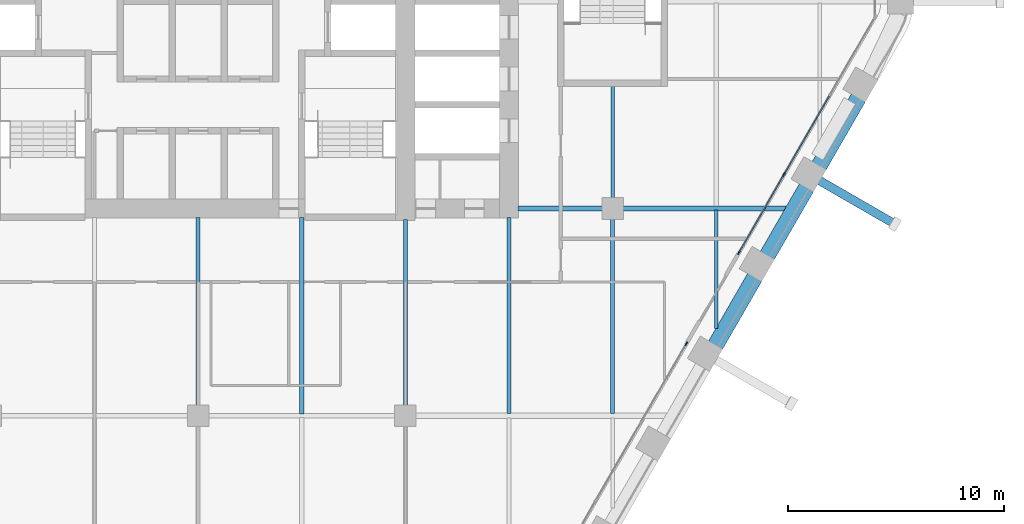
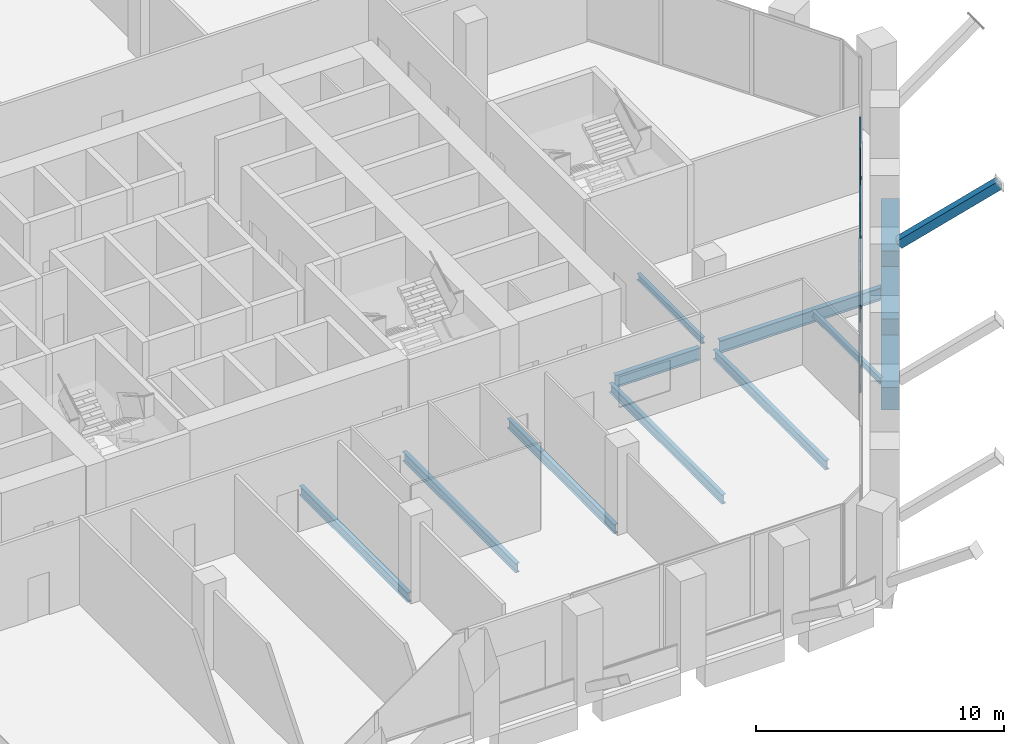
# One storey, part 5 of 24: 12 beams, 8 members, 2 elements without a shape of their own.
"""IFC4 building model written with IfcOpenShell, lengths in metres."""

import ifcopenshell
import ifcopenshell.guid

model = None  # the IFC model being written
_history = None  # IfcOwnerHistory: only IFC2X3 demands one
_inside = {}  # id of a spatial element -> (the spatial element, [elements in it])
_under = {}  # id of a project, library or spatial element -> (it, [spatial elements below it])
_declared = {}  # id of a project -> (the project, [libraries it declares])
_typed = {}  # id of a type object -> (the type object, [elements of that type])
_made_of = {}  # id of a material, layer set ... -> (it, [elements and type objects made of it])


def new_model(schema):
    """Start an empty IFC model of exactly this schema.

    Asked for "IFC4X3", IfcOpenShell would pick the latest addendum, in which some entities
    have other attributes; the version numbers below select the first issue.
    IFC2X3 requires an IfcOwnerHistory on every rooted entity: one is made here for all.
    """
    global model, _history
    if schema == "IFC4X3":
        model = ifcopenshell.file(schema_version=(4, 3, 0, 0))
    else:
        model = ifcopenshell.file(schema=schema)
    _inside.clear()
    _under.clear()
    _declared.clear()
    _typed.clear()
    _made_of.clear()
    _history = None
    if model.schema == "IFC2X3":
        org = make("IfcOrganization", Name="unknown")
        user = make(
            "IfcPersonAndOrganization",
            ThePerson=make("IfcPerson", FamilyName="unknown"),
            TheOrganization=org,
        )
        app = make(
            "IfcApplication",
            ApplicationDeveloper=org,
            Version="unknown",
            ApplicationFullName="unknown",
            ApplicationIdentifier="unknown",
        )
        _history = make(
            "IfcOwnerHistory",
            OwningUser=user,
            OwningApplication=app,
            ChangeAction="ADDED",
            CreationDate=0,
        )
    return model


def make(cls, **values):
    """One entity of the class cls with the attributes given. An attribute that is None is left unset."""
    return model.create_entity(
        cls, **{name: value for name, value in values.items() if value is not None}
    )


def rooted(cls, **values):
    """An entity with a GlobalId (a new one), such as an element, a storey or a relation."""
    return make(cls, GlobalId=ifcopenshell.guid.new(), OwnerHistory=_history, **values)


def si_unit(unit_type, name, prefix=None):
    """IfcSIUnit, for example si_unit("LENGTHUNIT", "METRE", prefix="MILLI")."""
    return make("IfcSIUnit", UnitType=unit_type, Prefix=prefix, Name=name)


def assignment(units):
    """IfcUnitAssignment: the units of a project."""
    return None if units is None else make("IfcUnitAssignment", Units=units)


def point(xyz):
    """IfcCartesianPoint."""
    return None if xyz is None else make("IfcCartesianPoint", Coordinates=xyz)


def direction(xyz):
    """IfcDirection."""
    return None if xyz is None else make("IfcDirection", DirectionRatios=xyz)


def frame(location, z_axis=None, x_axis=None):
    """IfcAxis2Placement3D, a coordinate frame: its origin and axes. An axis left out is left unset."""
    return make(
        "IfcAxis2Placement3D",
        Location=point(location),
        Axis=direction(z_axis),
        RefDirection=direction(x_axis),
    )


def frame_2d(location, x_axis=None):
    """IfcAxis2Placement2D, a coordinate frame in the plane: its origin and x axis."""
    return make(
        "IfcAxis2Placement2D", Location=point(location), RefDirection=direction(x_axis)
    )


def origin():
    """The frame at (0, 0, 0) with its axes left unset."""
    return frame((0.0, 0.0, 0.0))


def origin_2d():
    """The frame at (0, 0) in the plane with its x axis left unset."""
    return frame_2d((0.0, 0.0))


def place(relative_to, where):
    """IfcLocalPlacement: puts the frame where relative to a parent placement (None: the world)."""
    return make(
        "IfcLocalPlacement", PlacementRelTo=relative_to, RelativePlacement=where
    )


def context(
    kind, dimensions, precision=None, world=None, true_north=None, identifier=None
):
    """IfcGeometricRepresentationContext, for example the 3D "Model" context."""
    return make(
        "IfcGeometricRepresentationContext",
        ContextIdentifier=identifier,
        ContextType=kind,
        CoordinateSpaceDimension=dimensions,
        Precision=precision,
        WorldCoordinateSystem=world,
        TrueNorth=true_north,
    )


def subcontext(parent, identifier, kind, view, scale=None):
    """IfcGeometricRepresentationSubContext, for example "Body" below "Model"."""
    return make(
        "IfcGeometricRepresentationSubContext",
        ContextIdentifier=identifier,
        ContextType=kind,
        ParentContext=parent,
        TargetScale=scale,
        TargetView=view,
    )


def project(units=None, contexts=None):
    """IfcProject with its units and contexts."""
    return rooted(
        "IfcProject",
        Name="project",
        RepresentationContexts=contexts,
        UnitsInContext=assignment(units),
    )


def spatial(cls, under=None, at=None, **own):
    """A site, building, storey or space (cls), placed at a placement, below another one or the project."""
    s = rooted(cls, ObjectPlacement=at, **own)
    if under is not None:
        _under.setdefault(under.id(), (under, []))[1].append(s)
    return s


def profile(cls, at=None, kind="AREA", **sizes):
    """A parametric profile (cls). Its sizes go by their IFC names, for example OverallWidth=200.0."""
    return make(cls, ProfileType=kind, Position=at, **sizes)


def rectangle(**sizes):
    """IfcRectangleProfileDef."""
    return profile("IfcRectangleProfileDef", **sizes)


def hollow_rectangle(**sizes):
    """IfcRectangleHollowProfileDef."""
    return profile("IfcRectangleHollowProfileDef", **sizes)


def i_section(**sizes):
    """IfcIShapeProfileDef."""
    return profile("IfcIShapeProfileDef", **sizes)


def extrude(swept, where, along, depth):
    """IfcExtrudedAreaSolid: the profile swept, set in the frame where, extruded along a direction by depth."""
    return make(
        "IfcExtrudedAreaSolid",
        SweptArea=swept,
        Position=where,
        ExtrudedDirection=direction(along),
        Depth=depth,
    )


def shape(context_of_items, identifier, shape_type, items):
    """IfcShapeRepresentation: the items that make up one representation, for example the "Body"."""
    return make(
        "IfcShapeRepresentation",
        ContextOfItems=context_of_items,
        RepresentationIdentifier=identifier,
        RepresentationType=shape_type,
        Items=items,
    )


def material(Name=None, Category=None):
    """IfcMaterial."""
    return make("IfcMaterial", Name=Name, Category=Category)


def material_profile(
    of_material, cross_section, Name=None, Category=None, Priority=None
):
    """IfcMaterialProfile: a cross section and its material."""
    return make(
        "IfcMaterialProfile",
        Name=Name,
        Material=of_material,
        Profile=cross_section,
        Priority=Priority,
        Category=Category,
    )


def profile_set(profiles, Name=None, composite=None):
    """IfcMaterialProfileSet."""
    return make(
        "IfcMaterialProfileSet",
        Name=Name,
        MaterialProfiles=profiles,
        CompositeProfile=composite,
    )


def made_of(thing, what):
    """Note that an element or type object is made of a material, layer set ...; save() writes the relation."""
    if what is not None:
        _made_of.setdefault(what.id(), (what, []))[1].append(thing)
    return thing


def type_object(cls, material=None, **own):
    """A type object (cls), such as IfcWallType, which elements share."""
    return made_of(rooted(cls, **own), material)


def element(
    cls,
    number,
    at=None,
    inside=None,
    cuts=None,
    type_object=None,
    material=None,
    context=None,
    identifier="Body",
    shape_type=None,
    held_by="IfcProductDefinitionShape",
    body=None,
    shapes=None,
    **own,
):
    """One element of the class cls, such as IfcWall. Its Tag is "e" and its number.

    at: its placement. inside: the storey or other place that contains it. cuts: it is an
    opening in that element (IfcRelVoidsElement). A single representation is given by context,
    identifier, shape_type and body (its items); several are given by shapes. held_by: the class
    of the entity that holds the representations. save() writes the other relations.
    """
    e = rooted(cls, Tag="e%d" % number, ObjectPlacement=at, **own)
    if body is not None:
        shapes = [shape(context, identifier, shape_type, body)]
    if shapes is not None:
        e.Representation = make(held_by, Representations=shapes)
    if inside is not None:
        _inside.setdefault(inside.id(), (inside, []))[1].append(e)
    if cuts is not None:
        rooted(
            "IfcRelVoidsElement", RelatingBuildingElement=cuts, RelatedOpeningElement=e
        )
    if type_object is not None:
        _typed.setdefault(type_object.id(), (type_object, []))[1].append(e)
    return made_of(e, material)


def aggregate(whole, parts):
    """IfcRelAggregates: a whole, such as a stair, and the parts it consists of."""
    return rooted("IfcRelAggregates", RelatingObject=whole, RelatedObjects=parts)


def save(model, path):
    """Write the relations noted so far, then the file.

    IfcRelAggregates (storeys below a building ...), IfcRelContainedInSpatialStructure (elements
    in a storey), IfcRelDefinesByType, IfcRelAssociatesMaterial and IfcRelDeclares: one each for
    every whole, place, type object, material and project.
    """
    for whole, parts in _under.values():
        aggregate(whole, parts)
    for where, things in _inside.values():
        rooted(
            "IfcRelContainedInSpatialStructure",
            RelatedElements=things,
            RelatingStructure=where,
        )
    for kind, things in _typed.values():
        rooted("IfcRelDefinesByType", RelatedObjects=things, RelatingType=kind)
    for what, things in _made_of.values():
        rooted("IfcRelAssociatesMaterial", RelatedObjects=things, RelatingMaterial=what)
    for by, libraries in _declared.values():
        rooted("IfcRelDeclares", RelatingContext=by, RelatedDefinitions=libraries)
    model.write(path)


model = new_model("IFC4")

# Units and contexts
model_context = context("Model", 3, precision=1e-05, world=origin(), true_north=direction((0.0, 1.0)))
body_context = subcontext(model_context, "Body", "Model", "MODEL_VIEW")
ifc_project = project(units=[si_unit("LENGTHUNIT", "METRE"), si_unit("AREAUNIT", "SQUARE_METRE"), si_unit("VOLUMEUNIT", "CUBIC_METRE"), si_unit("PLANEANGLEUNIT", "RADIAN"), si_unit("MASSUNIT", "GRAM", prefix="KILO")], contexts=[model_context])

# Site, building, storey
site_placement = place(None, origin())
site = spatial("IfcSite", under=ifc_project, at=site_placement, CompositionType="ELEMENT")
building_placement = place(site_placement, origin())
building = spatial("IfcBuilding", under=site, at=building_placement, Name="Kolab Exchange Tower", CompositionType="ELEMENT")
storey_placement = place(building_placement, frame((0.0, 0.0, 86.89990234375)))
storey = spatial("IfcBuildingStorey", under=building, at=storey_placement, Name="L16", CompositionType="ELEMENT", Elevation=86.89990234375)

# Beams
ifc_material_1 = material(Name="Steel S355", Category="steel")
ifc_material_profile_1 = material_profile(ifc_material_1, i_section(OverallWidth=0.1650390625, OverallDepth=0.31005859375, WebThickness=0.005859375, FlangeThickness=0.009765625, at=origin_2d()), Name="W310X39")
ifc_profile_set_1 = profile_set([ifc_material_profile_1], Name="Steel S355")
beam_type_1 = type_object("IfcBeamType", Name="FLOOR BEAM W310X39", PredefinedType="BEAM", material=ifc_profile_set_1)
beam_1_placement = place(storey_placement, frame((19.199951171875, -9.139892578125, -0.35498046875), z_axis=(0.0, 1.0, 0.0), x_axis=(-1.0, 0.0, 0.0)))
element("IfcBeam", 1, at=beam_1_placement, inside=storey, type_object=beam_type_1, Name="beam/L16/fr/042", PredefinedType="BEAM", context=body_context, shape_type="SweptSolid", body=[
    extrude(i_section(OverallWidth=0.1650390625, OverallDepth=0.31005859375, WebThickness=0.005859375, FlangeThickness=0.009765625, at=origin_2d()), origin(), (0.0, 0.0, 1.0), 5.22998046875),
])
beam_2_placement = place(storey_placement, frame((24.0, -15.167724609375, -0.35498046875), z_axis=(0.0, 1.0, 0.0), x_axis=(-1.0, 0.0, 0.0)))
element("IfcBeam", 2, at=beam_2_placement, inside=storey, type_object=beam_type_1, Name="beam/L16/fr/046", PredefinedType="BEAM", context=body_context, shape_type="SweptSolid", body=[
    extrude(i_section(OverallWidth=0.1650390625, OverallDepth=0.31005859375, WebThickness=0.005859375, FlangeThickness=0.009765625, at=origin_2d()), origin(), (0.0, 0.0, 1.0), 5.49365234375),
])
ifc_material_profile_2 = material_profile(ifc_material_1, i_section(OverallWidth=0.18994140625, OverallDepth=0.45703125, WebThickness=0.009033203125, FlangeThickness=0.014404296875, at=origin_2d()), Name="W460X74")
ifc_profile_set_2 = profile_set([ifc_material_profile_2], Name="Steel S355")
beam_type_2 = type_object("IfcBeamType", Name="FLOOR BEAM W460X74", PredefinedType="BEAM", material=ifc_profile_set_2)
beam_3_placement = place(storey_placement, frame((0.0, -18.739990234375, -0.428466796875), z_axis=(0.0, 1.0, 0.0), x_axis=(-1.0, 0.0, 0.0)))
element("IfcBeam", 3, at=beam_3_placement, inside=storey, type_object=beam_type_2, Name="beam/L16/fr/025", PredefinedType="BEAM", context=body_context, shape_type="SweptSolid", body=[
    extrude(i_section(OverallWidth=0.18994140625, OverallDepth=0.45703125, WebThickness=0.009033203125, FlangeThickness=0.014404296875, at=origin_2d()), origin(), (0.0, 0.0, 1.0), 8.72998046875),
])
beam_4_placement = place(storey_placement, frame((4.800048828125, -19.1259765625, -0.428466796875), z_axis=(0.0, 1.0, 0.0), x_axis=(-1.0, 0.0, 0.0)))
element("IfcBeam", 4, at=beam_4_placement, inside=storey, type_object=beam_type_2, Name="beam/L16/fr/029", PredefinedType="BEAM", context=body_context, shape_type="SweptSolid", body=[
    extrude(i_section(OverallWidth=0.18994140625, OverallDepth=0.45703125, WebThickness=0.009033203125, FlangeThickness=0.014404296875, at=origin_2d()), origin(), (0.0, 0.0, 1.0), 9.115966796875),
])
beam_5_placement = place(storey_placement, frame((9.60009765625, -18.739990234375, -0.428466796875), z_axis=(0.0, 1.0, 0.0), x_axis=(-1.0, 0.0, 0.0)))
element("IfcBeam", 5, at=beam_5_placement, inside=storey, type_object=beam_type_2, Name="beam/L16/fr/033", PredefinedType="BEAM", context=body_context, shape_type="SweptSolid", body=[
    extrude(i_section(OverallWidth=0.18994140625, OverallDepth=0.45703125, WebThickness=0.009033203125, FlangeThickness=0.014404296875, at=origin_2d()), origin(), (0.0, 0.0, 1.0), 8.6298828125),
])
beam_6_placement = place(storey_placement, frame((14.39990234375, -19.1064453125, -0.428466796875), z_axis=(0.0, 1.0, 0.0), x_axis=(-1.0, 0.0, 0.0)))
element("IfcBeam", 6, at=beam_6_placement, inside=storey, type_object=beam_type_2, Name="beam/L16/fr/037", PredefinedType="BEAM", context=body_context, shape_type="SweptSolid", body=[
    extrude(i_section(OverallWidth=0.18994140625, OverallDepth=0.45703125, WebThickness=0.009033203125, FlangeThickness=0.014404296875, at=origin_2d()), origin(), (0.0, 0.0, 1.0), 9.096435546875),
])
beam_7_placement = place(storey_placement, frame((19.199951171875, -19.1064453125, -0.428466796875), z_axis=(0.0, 1.0, 0.0), x_axis=(-1.0, 0.0, 0.0)))
element("IfcBeam", 7, at=beam_7_placement, inside=storey, type_object=beam_type_2, Name="beam/L16/fr/041", PredefinedType="BEAM", context=body_context, shape_type="SweptSolid", body=[
    extrude(i_section(OverallWidth=0.18994140625, OverallDepth=0.45703125, WebThickness=0.009033203125, FlangeThickness=0.014404296875, at=origin_2d()), origin(), (0.0, 0.0, 1.0), 9.04638671875),
])
ifc_material_profile_3 = material_profile(ifc_material_1, i_section(OverallWidth=0.22802734375, OverallDepth=0.60791015625, WebThickness=0.01123046875, FlangeThickness=0.017333984375, at=origin_2d()), Name="W610X113")
ifc_profile_set_3 = profile_set([ifc_material_profile_3], Name="Steel S355")
beam_type_3 = type_object("IfcBeamType", Name="FLOOR GIRDER W610X113", PredefinedType="BEAM", material=ifc_profile_set_3)
beam_8_placement = place(storey_placement, frame((14.81005859375, -9.60009765625, -0.50390625), z_axis=(1.0, 0.0, 0.0), x_axis=(0.0, 1.0, 0.0)))
element("IfcBeam", 8, at=beam_8_placement, inside=storey, type_object=beam_type_3, Name="beam/L16/gd/014", PredefinedType="BEAM", context=body_context, shape_type="SweptSolid", body=[
    extrude(i_section(OverallWidth=0.22802734375, OverallDepth=0.60791015625, WebThickness=0.01123046875, FlangeThickness=0.017333984375, at=origin_2d()), origin(), (0.0, 0.0, 1.0), 3.929931640625),
])
beam_9_placement = place(storey_placement, frame((19.659912109375, -9.60009765625, -0.50390625), z_axis=(1.0, 0.0, 0.0), x_axis=(0.0, 1.0, 0.0)))
element("IfcBeam", 9, at=beam_9_placement, inside=storey, type_object=beam_type_3, Name="beam/L16/gd/017", PredefinedType="BEAM", context=body_context, shape_type="SweptSolid", body=[
    extrude(i_section(OverallWidth=0.22802734375, OverallDepth=0.60791015625, WebThickness=0.01123046875, FlangeThickness=0.017333984375, at=origin_2d()), origin(), (0.0, 0.0, 1.0), 7.571533203125),
])

# Member
ifc_material_profile_4 = material_profile(ifc_material_1, hollow_rectangle(XDim=0.39990234375, YDim=0.39990234375, WallThickness=0.02001953125, at=origin_2d()), Name="HSS400X400X20")
ifc_profile_set_4 = profile_set([ifc_material_profile_4], Name="Steel S355")
member_type_1 = type_object("IfcMemberType", Name="LEDGE STRUT HSS400X400X20", PredefinedType="STRUT", material=ifc_profile_set_4)
member_1_placement = place(storey_placement, frame((28.765380859375, -8.293701171875, 0.60009765625), z_axis=(0.702055669831, -0.40533170136, 0.585511783255), x_axis=(0.499999695987, 0.866025579307, 0.0)))
element("IfcMember", 10, at=member_1_placement, inside=storey, type_object=member_type_1, Name="mem/L16/ledge/strut-1", PredefinedType="STRUT", context=body_context, shape_type="SweptSolid", body=[
    extrude(hollow_rectangle(XDim=0.39990234375, YDim=0.39990234375, WallThickness=0.02001953125, at=origin_2d()), origin(), (0.0, 0.0, 1.0), 4.983642578125),
])

# Beams
ifc_material_2 = material(Name="Concrete C70/85", Category="concrete")
ifc_material_profile_5 = material_profile(ifc_material_2, rectangle(XDim=0.75, YDim=1.10009765625, at=origin_2d()), Name="RC750X1100")
ifc_profile_set_5 = profile_set([ifc_material_profile_5], Name="Concrete C70/85")
beam_type_4 = type_object("IfcBeamType", Name="SPANDREL BEAM 750X1100 C70/85", PredefinedType="BEAM", material=ifc_profile_set_5)
for number, where, z_axis, x_axis, name in (
    (11, (30.59521484375, -4.454345703125, -0.75), (-0.500013413428, -0.866017659399, 0.0), (0.866017659399, -0.500013413428, 0.0), "beam/L16/sp/F3-02"),
    (12, (28.1953125, -8.611328125, -0.75), (-0.500013413428, -0.866017659399, 0.0), (0.866017659399, -0.500013413428, 0.0), "beam/L16/sp/F3-03"),
):
    element("IfcBeam", number, at=place(storey_placement, frame(where, z_axis=z_axis, x_axis=x_axis)), inside=storey, type_object=beam_type_4, Name=name, PredefinedType="BEAM", context=body_context, shape_type="SweptSolid", body=[
        extrude(rectangle(XDim=0.75, YDim=1.10009765625, at=origin_2d()), origin(), (0.0, 0.0, 1.0), 3.68017578125),
    ])
beam_10_placement = place(storey_placement, frame((25.795166015625, -12.768310546875, -0.75), z_axis=(-0.499963655964, -0.866046386007, 0.0), x_axis=(0.866046386007, -0.499963655964, 0.0)))
element("IfcBeam", 13, at=beam_10_placement, inside=storey, type_object=beam_type_4, Name="beam/L16/sp/F3-04", PredefinedType="BEAM", context=body_context, shape_type="SweptSolid", body=[
    extrude(rectangle(XDim=0.75, YDim=1.10009765625, at=origin_2d()), origin(), (0.0, 0.0, 1.0), 3.679931640625),
])

# Curtain wall, members
ifc_material_3 = material(Name="Aluminium EN AW-6063 T6", Category="aluminium")
curtain_wall_type = type_object("IfcCurtainWallType", Name="UNITISED LOWER MID ZONE CURTAIN WALL", PredefinedType="NOTDEFINED", material=ifc_material_3)
curtain_wall_1_placement = place(storey_placement, origin())
curtain_wall_1 = element("IfcCurtainWall", 14, at=curtain_wall_1_placement, inside=storey, type_object=curtain_wall_type, Name="cw/L16/F3-1", PredefinedType="NOTDEFINED")
ifc_material_profile_6 = material_profile(ifc_material_3, rectangle(XDim=0.06005859375, YDim=0.179931640625, at=origin_2d()), Name="RECT 60X180")
ifc_profile_set_6 = profile_set([ifc_material_profile_6], Name="Aluminium EN AW-6063 T6")
member_type_2 = type_object("IfcMemberType", Name="UNITISED LOWER MID ZONE MULLION 60 X 180", PredefinedType="MULLION", material=ifc_profile_set_6)
member_2_placement = place(storey_placement, frame((27.14306640625, -8.02392578125, 0.0), z_axis=(0.0, 0.0, 1.0), x_axis=(0.866025427826, -0.499999958358, 0.0)))
member_2 = element("IfcMember", 15, at=member_2_placement, type_object=member_type_2, Name="CW2 mullion 3", PredefinedType="MULLION", context=body_context, shape_type="SweptSolid", body=[
    extrude(rectangle(XDim=0.06005859375, YDim=0.179931640625, at=origin_2d()), origin(), (0.0, 0.0, 1.0), 4.2001953125),
])
member_3_placement = place(storey_placement, frame((25.046630859375, -11.65478515625, 0.0), z_axis=(0.0, 0.0, 1.0), x_axis=(0.866025427826, -0.499999958358, 0.0)))
member_3 = element("IfcMember", 16, at=member_3_placement, type_object=member_type_2, Name="CW2 mullion 4", PredefinedType="MULLION", context=body_context, shape_type="SweptSolid", body=[
    extrude(rectangle(XDim=0.06005859375, YDim=0.179931640625, at=origin_2d()), origin(), (0.0, 0.0, 1.0), 4.2001953125),
])

# Curtain wall, member
curtain_wall_2_placement = place(storey_placement, origin())
curtain_wall_2 = element("IfcCurtainWall", 17, at=curtain_wall_2_placement, inside=storey, type_object=curtain_wall_type, Name="cw/L16/F3-2", PredefinedType="NOTDEFINED")
member_4_placement = place(storey_placement, frame((22.61669921875, -15.86376953125, 0.0), z_axis=(0.0, 0.0, 1.0), x_axis=(0.866025393644, -0.500000017564, 0.0)))
member_4 = element("IfcMember", 18, at=member_4_placement, type_object=member_type_2, Name="CW2 mullion 1", PredefinedType="MULLION", context=body_context, shape_type="SweptSolid", body=[
    extrude(rectangle(XDim=0.06005859375, YDim=0.179931640625, at=origin_2d()), origin(), (0.0, 0.0, 1.0), 4.2001953125),
])
aggregate(curtain_wall_2, [member_4])

# Member
ifc_material_profile_7 = material_profile(ifc_material_3, rectangle(XDim=0.06005859375, YDim=0.1201171875, at=origin_2d()), Name="RECT 60X120")
ifc_profile_set_7 = profile_set([ifc_material_profile_7], Name="Aluminium EN AW-6063 T6")
member_type_3 = type_object("IfcMemberType", Name="UNITISED LOWER MID ZONE TRANSOM 60 X 120", PredefinedType="USERDEFINED", material=ifc_profile_set_7)
member_5_placement = place(storey_placement, frame((29.2392578125, -4.392822265625, 0.030029296875), z_axis=(-0.49999322259, -0.866029316688, 0.0), x_axis=(0.866029316688, -0.49999322259, 0.0)))
member_5 = element("IfcMember", 19, at=member_5_placement, type_object=member_type_3, Name="CW2 transom 2.1", ObjectType="TRANSOM", PredefinedType="USERDEFINED", context=body_context, shape_type="SweptSolid", body=[
    extrude(rectangle(XDim=0.06005859375, YDim=0.1201171875, at=origin_2d()), origin(), (0.0, 0.0, 1.0), 4.16259765625),
])

member_6_placement = place(storey_placement, frame((29.2392578125, -4.392822265625, 4.170166015625), z_axis=(-0.49999322259, -0.866029316688, 0.0), x_axis=(0.866029316688, -0.49999322259, 0.0)))
member_6 = element("IfcMember", 20, at=member_6_placement, type_object=member_type_3, Name="CW2 transom 2.2", ObjectType="TRANSOM", PredefinedType="USERDEFINED", context=body_context, shape_type="SweptSolid", body=[
    extrude(rectangle(XDim=0.06005859375, YDim=0.1201171875, at=origin_2d()), origin(), (0.0, 0.0, 1.0), 4.16259765625),
])

member_7_placement = place(storey_placement, frame((27.1279296875, -8.0498046875, 0.030029296875), z_axis=(-0.499957688808, -0.866049830784, 0.0), x_axis=(0.866049830784, -0.499957688808, 0.0)))
member_7 = element("IfcMember", 21, at=member_7_placement, type_object=member_type_3, Name="CW2 transom 3.1", ObjectType="TRANSOM", PredefinedType="USERDEFINED", context=body_context, shape_type="SweptSolid", body=[
    extrude(rectangle(XDim=0.06005859375, YDim=0.1201171875, at=origin_2d()), origin(), (0.0, 0.0, 1.0), 4.132568359375),
])

member_8_placement = place(storey_placement, frame((27.1279296875, -8.0498046875, 4.170166015625), z_axis=(-0.499957688808, -0.866049830784, 0.0), x_axis=(0.866049830784, -0.499957688808, 0.0)))
member_8 = element("IfcMember", 22, at=member_8_placement, type_object=member_type_3, Name="CW2 transom 3.2", ObjectType="TRANSOM", PredefinedType="USERDEFINED", context=body_context, shape_type="SweptSolid", body=[
    extrude(rectangle(XDim=0.06005859375, YDim=0.1201171875, at=origin_2d()), origin(), (0.0, 0.0, 1.0), 4.132568359375),
])

aggregate(curtain_wall_1, [member_2, member_3, member_5, member_6, member_7, member_8])

save(model, "model.ifc")
